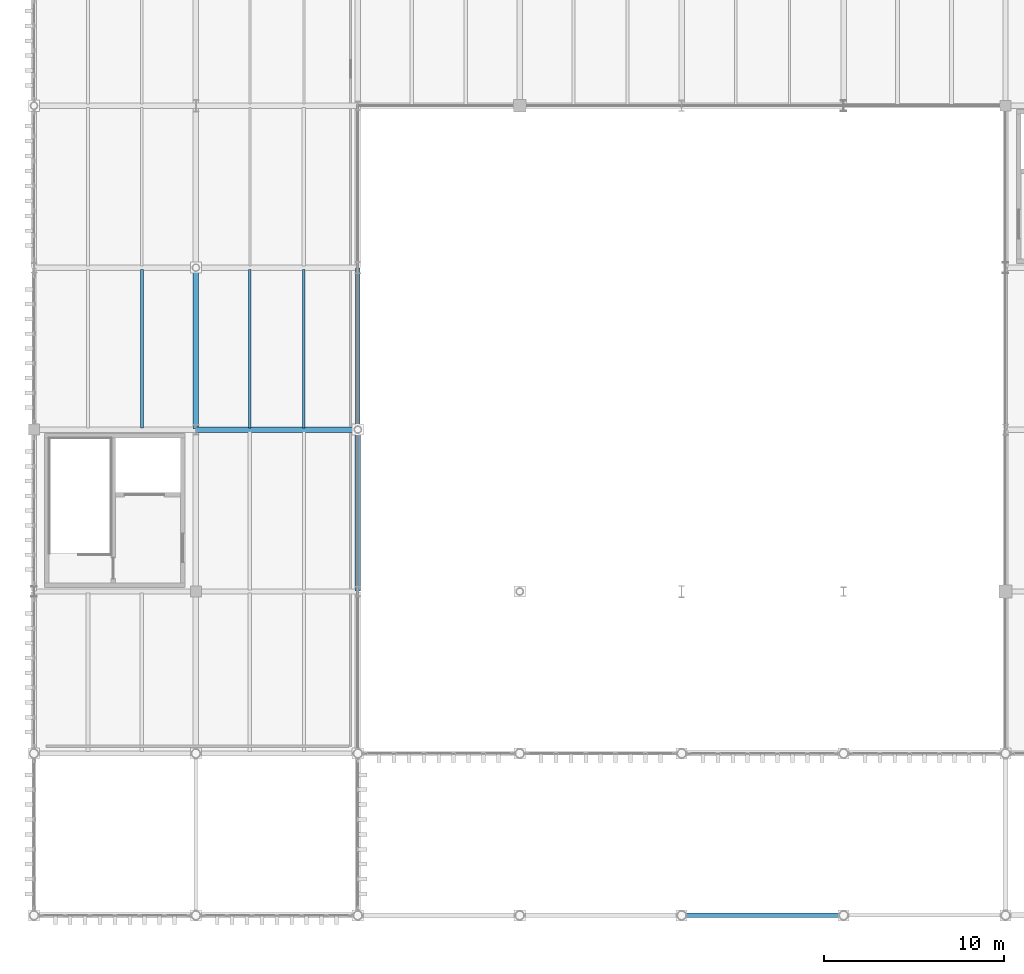
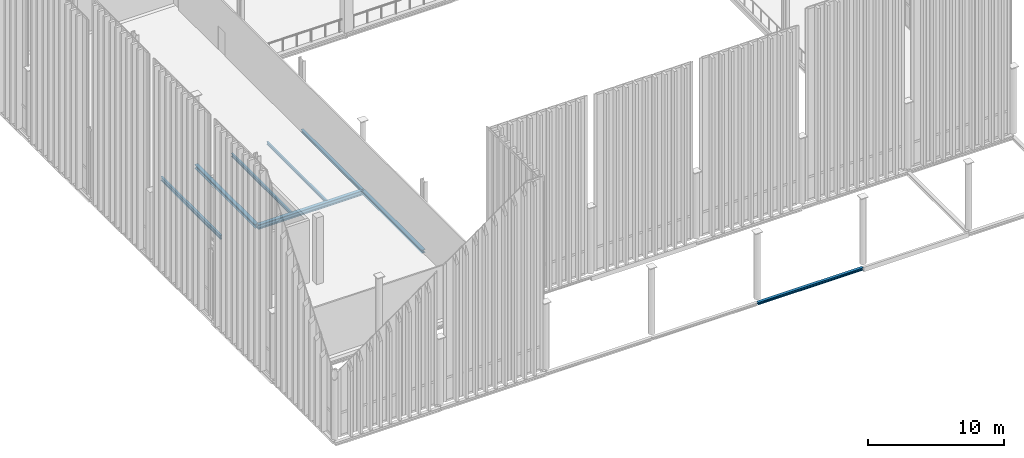
# One storey, part 42 of 237: 8 beams.
"""IFC4 building model written with IfcOpenShell, lengths in metres."""

import ifcopenshell
import ifcopenshell.guid

model = None  # the IFC model being written
_history = None  # IfcOwnerHistory: only IFC2X3 demands one
_inside = {}  # id of a spatial element -> (the spatial element, [elements in it])
_under = {}  # id of a project, library or spatial element -> (it, [spatial elements below it])
_declared = {}  # id of a project -> (the project, [libraries it declares])
_typed = {}  # id of a type object -> (the type object, [elements of that type])
_made_of = {}  # id of a material, layer set ... -> (it, [elements and type objects made of it])


def new_model(schema):
    """Start an empty IFC model of exactly this schema.

    Asked for "IFC4X3", IfcOpenShell would pick the latest addendum, in which some entities
    have other attributes; the version numbers below select the first issue.
    IFC2X3 requires an IfcOwnerHistory on every rooted entity: one is made here for all.
    """
    global model, _history
    if schema == "IFC4X3":
        model = ifcopenshell.file(schema_version=(4, 3, 0, 0))
    else:
        model = ifcopenshell.file(schema=schema)
    _inside.clear()
    _under.clear()
    _declared.clear()
    _typed.clear()
    _made_of.clear()
    _history = None
    if model.schema == "IFC2X3":
        org = make("IfcOrganization", Name="unknown")
        user = make(
            "IfcPersonAndOrganization",
            ThePerson=make("IfcPerson", FamilyName="unknown"),
            TheOrganization=org,
        )
        app = make(
            "IfcApplication",
            ApplicationDeveloper=org,
            Version="unknown",
            ApplicationFullName="unknown",
            ApplicationIdentifier="unknown",
        )
        _history = make(
            "IfcOwnerHistory",
            OwningUser=user,
            OwningApplication=app,
            ChangeAction="ADDED",
            CreationDate=0,
        )
    return model


def make(cls, **values):
    """One entity of the class cls with the attributes given. An attribute that is None is left unset."""
    return model.create_entity(
        cls, **{name: value for name, value in values.items() if value is not None}
    )


def rooted(cls, **values):
    """An entity with a GlobalId (a new one), such as an element, a storey or a relation."""
    return make(cls, GlobalId=ifcopenshell.guid.new(), OwnerHistory=_history, **values)


def si_unit(unit_type, name, prefix=None):
    """IfcSIUnit, for example si_unit("LENGTHUNIT", "METRE", prefix="MILLI")."""
    return make("IfcSIUnit", UnitType=unit_type, Prefix=prefix, Name=name)


def assignment(units):
    """IfcUnitAssignment: the units of a project."""
    return None if units is None else make("IfcUnitAssignment", Units=units)


def point(xyz):
    """IfcCartesianPoint."""
    return None if xyz is None else make("IfcCartesianPoint", Coordinates=xyz)


def direction(xyz):
    """IfcDirection."""
    return None if xyz is None else make("IfcDirection", DirectionRatios=xyz)


def frame(location, z_axis=None, x_axis=None):
    """IfcAxis2Placement3D, a coordinate frame: its origin and axes. An axis left out is left unset."""
    return make(
        "IfcAxis2Placement3D",
        Location=point(location),
        Axis=direction(z_axis),
        RefDirection=direction(x_axis),
    )


def frame_2d(location, x_axis=None):
    """IfcAxis2Placement2D, a coordinate frame in the plane: its origin and x axis."""
    return make(
        "IfcAxis2Placement2D", Location=point(location), RefDirection=direction(x_axis)
    )


def origin():
    """The frame at (0, 0, 0) with its axes left unset."""
    return frame((0.0, 0.0, 0.0))


def origin_2d():
    """The frame at (0, 0) in the plane with its x axis left unset."""
    return frame_2d((0.0, 0.0))


def place(relative_to, where):
    """IfcLocalPlacement: puts the frame where relative to a parent placement (None: the world)."""
    return make(
        "IfcLocalPlacement", PlacementRelTo=relative_to, RelativePlacement=where
    )


def context(
    kind, dimensions, precision=None, world=None, true_north=None, identifier=None
):
    """IfcGeometricRepresentationContext, for example the 3D "Model" context."""
    return make(
        "IfcGeometricRepresentationContext",
        ContextIdentifier=identifier,
        ContextType=kind,
        CoordinateSpaceDimension=dimensions,
        Precision=precision,
        WorldCoordinateSystem=world,
        TrueNorth=true_north,
    )


def subcontext(parent, identifier, kind, view, scale=None):
    """IfcGeometricRepresentationSubContext, for example "Body" below "Model"."""
    return make(
        "IfcGeometricRepresentationSubContext",
        ContextIdentifier=identifier,
        ContextType=kind,
        ParentContext=parent,
        TargetScale=scale,
        TargetView=view,
    )


def project(units=None, contexts=None):
    """IfcProject with its units and contexts."""
    return rooted(
        "IfcProject",
        Name="project",
        RepresentationContexts=contexts,
        UnitsInContext=assignment(units),
    )


def spatial(cls, under=None, at=None, **own):
    """A site, building, storey or space (cls), placed at a placement, below another one or the project."""
    s = rooted(cls, ObjectPlacement=at, **own)
    if under is not None:
        _under.setdefault(under.id(), (under, []))[1].append(s)
    return s


def profile(cls, at=None, kind="AREA", **sizes):
    """A parametric profile (cls). Its sizes go by their IFC names, for example OverallWidth=200.0."""
    return make(cls, ProfileType=kind, Position=at, **sizes)


def i_section(**sizes):
    """IfcIShapeProfileDef."""
    return profile("IfcIShapeProfileDef", **sizes)


def extrude(swept, where, along, depth):
    """IfcExtrudedAreaSolid: the profile swept, set in the frame where, extruded along a direction by depth."""
    return make(
        "IfcExtrudedAreaSolid",
        SweptArea=swept,
        Position=where,
        ExtrudedDirection=direction(along),
        Depth=depth,
    )


def shape(context_of_items, identifier, shape_type, items):
    """IfcShapeRepresentation: the items that make up one representation, for example the "Body"."""
    return make(
        "IfcShapeRepresentation",
        ContextOfItems=context_of_items,
        RepresentationIdentifier=identifier,
        RepresentationType=shape_type,
        Items=items,
    )


def material(Name=None, Category=None):
    """IfcMaterial."""
    return make("IfcMaterial", Name=Name, Category=Category)


def material_profile(
    of_material, cross_section, Name=None, Category=None, Priority=None
):
    """IfcMaterialProfile: a cross section and its material."""
    return make(
        "IfcMaterialProfile",
        Name=Name,
        Material=of_material,
        Profile=cross_section,
        Priority=Priority,
        Category=Category,
    )


def profile_set(profiles, Name=None, composite=None):
    """IfcMaterialProfileSet."""
    return make(
        "IfcMaterialProfileSet",
        Name=Name,
        MaterialProfiles=profiles,
        CompositeProfile=composite,
    )


def made_of(thing, what):
    """Note that an element or type object is made of a material, layer set ...; save() writes the relation."""
    if what is not None:
        _made_of.setdefault(what.id(), (what, []))[1].append(thing)
    return thing


def type_object(cls, material=None, **own):
    """A type object (cls), such as IfcWallType, which elements share."""
    return made_of(rooted(cls, **own), material)


def element(
    cls,
    number,
    at=None,
    inside=None,
    cuts=None,
    type_object=None,
    material=None,
    context=None,
    identifier="Body",
    shape_type=None,
    held_by="IfcProductDefinitionShape",
    body=None,
    shapes=None,
    **own,
):
    """One element of the class cls, such as IfcWall. Its Tag is "e" and its number.

    at: its placement. inside: the storey or other place that contains it. cuts: it is an
    opening in that element (IfcRelVoidsElement). A single representation is given by context,
    identifier, shape_type and body (its items); several are given by shapes. held_by: the class
    of the entity that holds the representations. save() writes the other relations.
    """
    e = rooted(cls, Tag="e%d" % number, ObjectPlacement=at, **own)
    if body is not None:
        shapes = [shape(context, identifier, shape_type, body)]
    if shapes is not None:
        e.Representation = make(held_by, Representations=shapes)
    if inside is not None:
        _inside.setdefault(inside.id(), (inside, []))[1].append(e)
    if cuts is not None:
        rooted(
            "IfcRelVoidsElement", RelatingBuildingElement=cuts, RelatedOpeningElement=e
        )
    if type_object is not None:
        _typed.setdefault(type_object.id(), (type_object, []))[1].append(e)
    return made_of(e, material)


def aggregate(whole, parts):
    """IfcRelAggregates: a whole, such as a stair, and the parts it consists of."""
    return rooted("IfcRelAggregates", RelatingObject=whole, RelatedObjects=parts)


def save(model, path):
    """Write the relations noted so far, then the file.

    IfcRelAggregates (storeys below a building ...), IfcRelContainedInSpatialStructure (elements
    in a storey), IfcRelDefinesByType, IfcRelAssociatesMaterial and IfcRelDeclares: one each for
    every whole, place, type object, material and project.
    """
    for whole, parts in _under.values():
        aggregate(whole, parts)
    for where, things in _inside.values():
        rooted(
            "IfcRelContainedInSpatialStructure",
            RelatedElements=things,
            RelatingStructure=where,
        )
    for kind, things in _typed.values():
        rooted("IfcRelDefinesByType", RelatedObjects=things, RelatingType=kind)
    for what, things in _made_of.values():
        rooted("IfcRelAssociatesMaterial", RelatedObjects=things, RelatingMaterial=what)
    for by, libraries in _declared.values():
        rooted("IfcRelDeclares", RelatingContext=by, RelatedDefinitions=libraries)
    model.write(path)


model = new_model("IFC4")

# Units and contexts
model_context = context("Model", 3, precision=1e-05, world=origin(), true_north=direction((0.0, 1.0)))
body_context = subcontext(model_context, "Body", "Model", "MODEL_VIEW")
ifc_project = project(units=[si_unit("LENGTHUNIT", "METRE"), si_unit("AREAUNIT", "SQUARE_METRE"), si_unit("VOLUMEUNIT", "CUBIC_METRE"), si_unit("PLANEANGLEUNIT", "RADIAN"), si_unit("MASSUNIT", "GRAM", prefix="KILO")], contexts=[model_context])

# Site, building, storey
site_placement = place(None, origin())
site = spatial("IfcSite", under=ifc_project, at=site_placement, CompositionType="ELEMENT")
building_placement = place(site_placement, origin())
building = spatial("IfcBuilding", under=site, at=building_placement, Name="Barlavento Convention Centre", CompositionType="ELEMENT")
storey_placement = place(building_placement, frame((0.0, 0.0, 12.0)))
storey = spatial("IfcBuildingStorey", under=building, at=storey_placement, Name="L02", CompositionType="ELEMENT", Elevation=12.0)

# Beams
ifc_material = material(Name="Steel S355", Category="steel")
ifc_material_profile_1 = material_profile(ifc_material, i_section(OverallWidth=0.135009765625, OverallDepth=0.27001953125, WebThickness=0.006591796875, FlangeThickness=0.01025390625, FilletRadius=0.014892578125, at=origin_2d()), Name="IPE 270")
ifc_profile_set_1 = profile_set([ifc_material_profile_1], Name="Steel S355")
beam_type_1 = type_object("IfcBeamType", Name="STR-BM-JST-IPE270", PredefinedType="JOIST", material=ifc_profile_set_1)
beam_1_placement = place(storey_placement, frame((15.0, 27.094970703125, -0.43505859375), z_axis=(0.0, 1.0, 0.0), x_axis=(-1.0, 0.0, 0.0)))
element("IfcBeam", 1, at=beam_1_placement, inside=storey, type_object=beam_type_1, Name="L02 composite floor joist SJ08", PredefinedType="JOIST", context=body_context, shape_type="SweptSolid", body=[
    extrude(i_section(OverallWidth=0.135009765625, OverallDepth=0.27001953125, WebThickness=0.006591796875, FlangeThickness=0.01025390625, FilletRadius=0.014892578125, at=origin_2d()), origin(), (0.0, 0.0, 1.0), 8.81005859375),
])
ifc_material_profile_2 = material_profile(ifc_material, i_section(OverallWidth=0.14990234375, OverallDepth=0.300048828125, WebThickness=0.007080078125, FlangeThickness=0.0107421875, FilletRadius=0.014892578125, at=origin_2d()), Name="IPE 300")
ifc_profile_set_2 = profile_set([ifc_material_profile_2], Name="Steel S355")
beam_type_2 = type_object("IfcBeamType", Name="STR-BM-JST-IPE300", PredefinedType="JOIST", material=ifc_profile_set_2)
beam_2_placement = place(storey_placement, frame((12.0, 27.094970703125, -0.449951171875), z_axis=(0.0, 1.0, 0.0), x_axis=(-1.0, 0.0, 0.0)))
element("IfcBeam", 2, at=beam_2_placement, inside=storey, type_object=beam_type_2, Name="L02 composite floor joist SJ07", PredefinedType="JOIST", context=body_context, shape_type="SweptSolid", body=[
    extrude(i_section(OverallWidth=0.14990234375, OverallDepth=0.300048828125, WebThickness=0.007080078125, FlangeThickness=0.0107421875, FilletRadius=0.014892578125, at=origin_2d()), origin(), (0.0, 0.0, 1.0), 8.81005859375),
])
ifc_material_profile_3 = material_profile(ifc_material, i_section(OverallWidth=0.169921875, OverallDepth=0.360107421875, WebThickness=0.008056640625, FlangeThickness=0.0126953125, FilletRadius=0.01806640625, at=origin_2d()), Name="IPE 360")
ifc_profile_set_3 = profile_set([ifc_material_profile_3], Name="Steel S355")
beam_type_3 = type_object("IfcBeamType", Name="STR-BM-JST-IPE360", PredefinedType="JOIST", material=ifc_profile_set_3)
beam_3_placement = place(storey_placement, frame((6.0, 27.094970703125, -0.47998046875), z_axis=(0.0, 1.0, 0.0), x_axis=(-1.0, 0.0, 0.0)))
element("IfcBeam", 3, at=beam_3_placement, inside=storey, type_object=beam_type_3, Name="L02 composite floor joist SJ05", PredefinedType="JOIST", context=body_context, shape_type="SweptSolid", body=[
    extrude(i_section(OverallWidth=0.169921875, OverallDepth=0.360107421875, WebThickness=0.008056640625, FlangeThickness=0.0126953125, FilletRadius=0.01806640625, at=origin_2d()), origin(), (0.0, 0.0, 1.0), 8.81005859375),
])
ifc_material_profile_4 = material_profile(ifc_material, i_section(OverallWidth=0.300048828125, OverallDepth=0.330078125, WebThickness=0.009521484375, FlangeThickness=0.0166015625, FilletRadius=0.027099609375, at=origin_2d()), Name="HEA 340")
ifc_profile_set_4 = profile_set([ifc_material_profile_4], Name="Steel S355")
beam_type_4 = type_object("IfcBeamType", Name="STR-BM-PRI-HEA340", PredefinedType="BEAM", material=ifc_profile_set_4)
beam_4_placement = place(storey_placement, frame((9.0, 27.02001953125, -0.465087890625), z_axis=(0.0, 1.0, 0.0), x_axis=(-1.0, 0.0, 0.0)))
element("IfcBeam", 4, at=beam_4_placement, inside=storey, type_object=beam_type_4, Name="L02 grid girder BG24", PredefinedType="BEAM", context=body_context, shape_type="SweptSolid", body=[
    extrude(i_section(OverallWidth=0.300048828125, OverallDepth=0.330078125, WebThickness=0.009521484375, FlangeThickness=0.0166015625, FilletRadius=0.027099609375, at=origin_2d()), origin(), (0.0, 0.0, 1.0), 8.9599609375),
])
ifc_material_profile_5 = material_profile(ifc_material, i_section(OverallWidth=0.300048828125, OverallDepth=0.39990234375, WebThickness=0.013427734375, FlangeThickness=0.02392578125, FilletRadius=0.027099609375, at=origin_2d()), Name="HEB 400")
ifc_profile_set_5 = profile_set([ifc_material_profile_5], Name="Steel S355")
beam_type_5 = type_object("IfcBeamType", Name="STR-BM-PRI-HEB400", PredefinedType="BEAM", material=ifc_profile_set_5)
beam_5_placement = place(storey_placement, frame((9.02001953125, 27.0, -0.5), z_axis=(1.0, 0.0, 0.0), x_axis=(0.0, 1.0, 0.0)))
element("IfcBeam", 5, at=beam_5_placement, inside=storey, type_object=beam_type_5, Name="L02 primary girder BG11", PredefinedType="BEAM", context=body_context, shape_type="SweptSolid", body=[
    extrude(i_section(OverallWidth=0.300048828125, OverallDepth=0.39990234375, WebThickness=0.013427734375, FlangeThickness=0.02392578125, FilletRadius=0.027099609375, at=origin_2d()), origin(), (0.0, 0.0, 1.0), 8.9599609375),
])
ifc_material_profile_6 = material_profile(ifc_material, i_section(OverallWidth=0.239990234375, OverallDepth=0.22998046875, WebThickness=0.007568359375, FlangeThickness=0.011962890625, FilletRadius=0.02099609375, at=origin_2d()), Name="HEA 240")
ifc_profile_set_6 = profile_set([ifc_material_profile_6], Name="Steel S355")
beam_type_6 = type_object("IfcBeamType", Name="STR-BM-SPN-HEA240", PredefinedType="SPANDREL", material=ifc_profile_set_6)
for number, where, z_axis, x_axis, name in (
    (6, (36.02001953125, 0.0, -0.47509765625), (1.0, 0.0, 0.0), (0.0, 1.0, 0.0), "L02 primary girder SP05"),
    (7, (18.0, 27.02001953125, -0.4150390625), (0.0, 1.0, 0.0), (-1.0, 0.0, 0.0), "L02 grid girder SP05"),
):
    element("IfcBeam", number, at=place(storey_placement, frame(where, z_axis=z_axis, x_axis=x_axis)), inside=storey, type_object=beam_type_6, Name=name, PredefinedType="SPANDREL", context=body_context, shape_type="SweptSolid", body=[
        extrude(i_section(OverallWidth=0.239990234375, OverallDepth=0.22998046875, WebThickness=0.007568359375, FlangeThickness=0.011962890625, FilletRadius=0.02099609375, at=origin_2d()), origin(), (0.0, 0.0, 1.0), 8.9599609375),
    ])
ifc_material_profile_7 = material_profile(ifc_material, i_section(OverallWidth=0.300048828125, OverallDepth=0.2900390625, WebThickness=0.008544921875, FlangeThickness=0.013916015625, FilletRadius=0.027099609375, at=origin_2d()), Name="HEA 300")
ifc_profile_set_7 = profile_set([ifc_material_profile_7], Name="Steel S355")
beam_type_7 = type_object("IfcBeamType", Name="STR-BM-SPN-HEA300", PredefinedType="SPANDREL", material=ifc_profile_set_7)
beam_6_placement = place(storey_placement, frame((18.0, 18.02001953125, -0.445068359375), z_axis=(0.0, 1.0, 0.0), x_axis=(-1.0, 0.0, 0.0)))
element("IfcBeam", 8, at=beam_6_placement, inside=storey, type_object=beam_type_7, Name="L02 grid girder SP02", PredefinedType="SPANDREL", context=body_context, shape_type="SweptSolid", body=[
    extrude(i_section(OverallWidth=0.300048828125, OverallDepth=0.2900390625, WebThickness=0.008544921875, FlangeThickness=0.013916015625, FilletRadius=0.027099609375, at=origin_2d()), origin(), (0.0, 0.0, 1.0), 8.9599609375),
])

save(model, "model.ifc")
